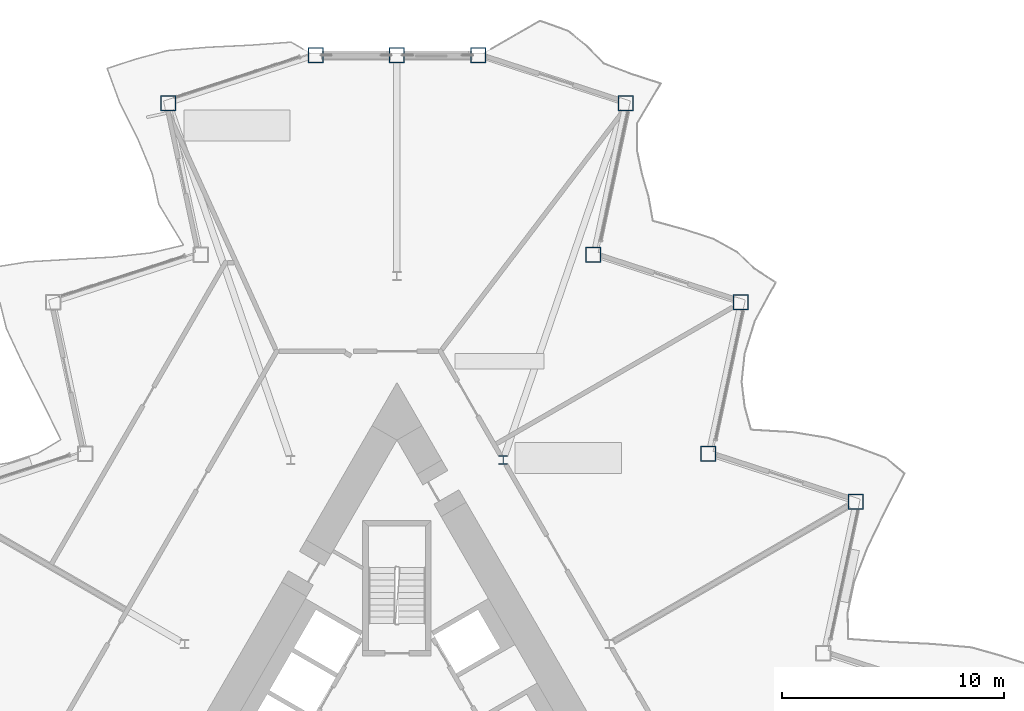
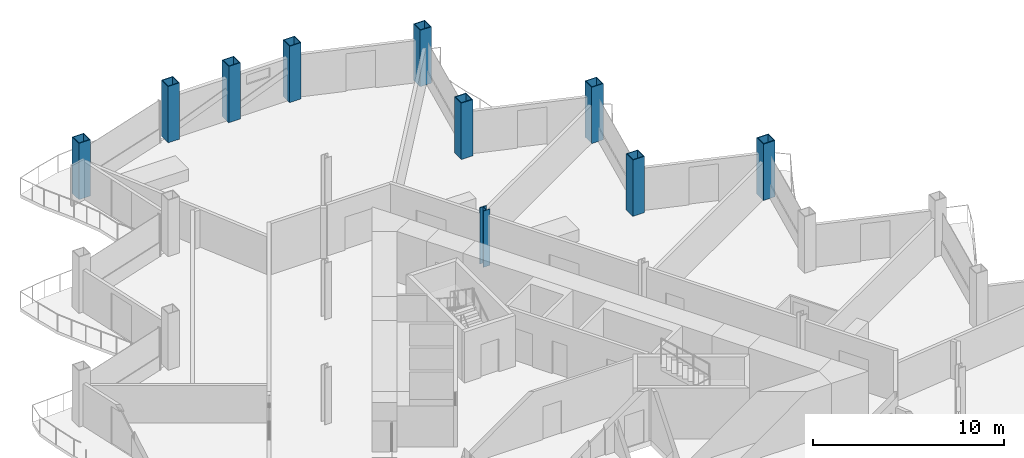
# One storey, part 3 of 23: 10 columns.
"""IFC4 building model written with IfcOpenShell, lengths in metres."""

import ifcopenshell
import ifcopenshell.guid

model = None  # the IFC model being written
_history = None  # IfcOwnerHistory: only IFC2X3 demands one
_inside = {}  # id of a spatial element -> (the spatial element, [elements in it])
_under = {}  # id of a project, library or spatial element -> (it, [spatial elements below it])
_declared = {}  # id of a project -> (the project, [libraries it declares])
_typed = {}  # id of a type object -> (the type object, [elements of that type])
_made_of = {}  # id of a material, layer set ... -> (it, [elements and type objects made of it])


def new_model(schema):
    """Start an empty IFC model of exactly this schema.

    Asked for "IFC4X3", IfcOpenShell would pick the latest addendum, in which some entities
    have other attributes; the version numbers below select the first issue.
    IFC2X3 requires an IfcOwnerHistory on every rooted entity: one is made here for all.
    """
    global model, _history
    if schema == "IFC4X3":
        model = ifcopenshell.file(schema_version=(4, 3, 0, 0))
    else:
        model = ifcopenshell.file(schema=schema)
    _inside.clear()
    _under.clear()
    _declared.clear()
    _typed.clear()
    _made_of.clear()
    _history = None
    if model.schema == "IFC2X3":
        org = make("IfcOrganization", Name="unknown")
        user = make(
            "IfcPersonAndOrganization",
            ThePerson=make("IfcPerson", FamilyName="unknown"),
            TheOrganization=org,
        )
        app = make(
            "IfcApplication",
            ApplicationDeveloper=org,
            Version="unknown",
            ApplicationFullName="unknown",
            ApplicationIdentifier="unknown",
        )
        _history = make(
            "IfcOwnerHistory",
            OwningUser=user,
            OwningApplication=app,
            ChangeAction="ADDED",
            CreationDate=0,
        )
    return model


def make(cls, **values):
    """One entity of the class cls with the attributes given. An attribute that is None is left unset."""
    return model.create_entity(
        cls, **{name: value for name, value in values.items() if value is not None}
    )


def rooted(cls, **values):
    """An entity with a GlobalId (a new one), such as an element, a storey or a relation."""
    return make(cls, GlobalId=ifcopenshell.guid.new(), OwnerHistory=_history, **values)


def si_unit(unit_type, name, prefix=None):
    """IfcSIUnit, for example si_unit("LENGTHUNIT", "METRE", prefix="MILLI")."""
    return make("IfcSIUnit", UnitType=unit_type, Prefix=prefix, Name=name)


def assignment(units):
    """IfcUnitAssignment: the units of a project."""
    return None if units is None else make("IfcUnitAssignment", Units=units)


def point(xyz):
    """IfcCartesianPoint."""
    return None if xyz is None else make("IfcCartesianPoint", Coordinates=xyz)


def direction(xyz):
    """IfcDirection."""
    return None if xyz is None else make("IfcDirection", DirectionRatios=xyz)


def frame(location, z_axis=None, x_axis=None):
    """IfcAxis2Placement3D, a coordinate frame: its origin and axes. An axis left out is left unset."""
    return make(
        "IfcAxis2Placement3D",
        Location=point(location),
        Axis=direction(z_axis),
        RefDirection=direction(x_axis),
    )


def frame_2d(location, x_axis=None):
    """IfcAxis2Placement2D, a coordinate frame in the plane: its origin and x axis."""
    return make(
        "IfcAxis2Placement2D", Location=point(location), RefDirection=direction(x_axis)
    )


def origin():
    """The frame at (0, 0, 0) with its axes left unset."""
    return frame((0.0, 0.0, 0.0))


def origin_2d():
    """The frame at (0, 0) in the plane with its x axis left unset."""
    return frame_2d((0.0, 0.0))


def place(relative_to, where):
    """IfcLocalPlacement: puts the frame where relative to a parent placement (None: the world)."""
    return make(
        "IfcLocalPlacement", PlacementRelTo=relative_to, RelativePlacement=where
    )


def context(
    kind, dimensions, precision=None, world=None, true_north=None, identifier=None
):
    """IfcGeometricRepresentationContext, for example the 3D "Model" context."""
    return make(
        "IfcGeometricRepresentationContext",
        ContextIdentifier=identifier,
        ContextType=kind,
        CoordinateSpaceDimension=dimensions,
        Precision=precision,
        WorldCoordinateSystem=world,
        TrueNorth=true_north,
    )


def subcontext(parent, identifier, kind, view, scale=None):
    """IfcGeometricRepresentationSubContext, for example "Body" below "Model"."""
    return make(
        "IfcGeometricRepresentationSubContext",
        ContextIdentifier=identifier,
        ContextType=kind,
        ParentContext=parent,
        TargetScale=scale,
        TargetView=view,
    )


def project(units=None, contexts=None):
    """IfcProject with its units and contexts."""
    return rooted(
        "IfcProject",
        Name="project",
        RepresentationContexts=contexts,
        UnitsInContext=assignment(units),
    )


def spatial(cls, under=None, at=None, **own):
    """A site, building, storey or space (cls), placed at a placement, below another one or the project."""
    s = rooted(cls, ObjectPlacement=at, **own)
    if under is not None:
        _under.setdefault(under.id(), (under, []))[1].append(s)
    return s


def profile(cls, at=None, kind="AREA", **sizes):
    """A parametric profile (cls). Its sizes go by their IFC names, for example OverallWidth=200.0."""
    return make(cls, ProfileType=kind, Position=at, **sizes)


def hollow_rectangle(**sizes):
    """IfcRectangleHollowProfileDef."""
    return profile("IfcRectangleHollowProfileDef", **sizes)


def i_section(**sizes):
    """IfcIShapeProfileDef."""
    return profile("IfcIShapeProfileDef", **sizes)


def extrude(swept, where, along, depth):
    """IfcExtrudedAreaSolid: the profile swept, set in the frame where, extruded along a direction by depth."""
    return make(
        "IfcExtrudedAreaSolid",
        SweptArea=swept,
        Position=where,
        ExtrudedDirection=direction(along),
        Depth=depth,
    )


def shape(context_of_items, identifier, shape_type, items):
    """IfcShapeRepresentation: the items that make up one representation, for example the "Body"."""
    return make(
        "IfcShapeRepresentation",
        ContextOfItems=context_of_items,
        RepresentationIdentifier=identifier,
        RepresentationType=shape_type,
        Items=items,
    )


def material(Name=None, Category=None):
    """IfcMaterial."""
    return make("IfcMaterial", Name=Name, Category=Category)


def material_profile(
    of_material, cross_section, Name=None, Category=None, Priority=None
):
    """IfcMaterialProfile: a cross section and its material."""
    return make(
        "IfcMaterialProfile",
        Name=Name,
        Material=of_material,
        Profile=cross_section,
        Priority=Priority,
        Category=Category,
    )


def profile_set(profiles, Name=None, composite=None):
    """IfcMaterialProfileSet."""
    return make(
        "IfcMaterialProfileSet",
        Name=Name,
        MaterialProfiles=profiles,
        CompositeProfile=composite,
    )


def made_of(thing, what):
    """Note that an element or type object is made of a material, layer set ...; save() writes the relation."""
    if what is not None:
        _made_of.setdefault(what.id(), (what, []))[1].append(thing)
    return thing


def type_object(cls, material=None, **own):
    """A type object (cls), such as IfcWallType, which elements share."""
    return made_of(rooted(cls, **own), material)


def element(
    cls,
    number,
    at=None,
    inside=None,
    cuts=None,
    type_object=None,
    material=None,
    context=None,
    identifier="Body",
    shape_type=None,
    held_by="IfcProductDefinitionShape",
    body=None,
    shapes=None,
    **own,
):
    """One element of the class cls, such as IfcWall. Its Tag is "e" and its number.

    at: its placement. inside: the storey or other place that contains it. cuts: it is an
    opening in that element (IfcRelVoidsElement). A single representation is given by context,
    identifier, shape_type and body (its items); several are given by shapes. held_by: the class
    of the entity that holds the representations. save() writes the other relations.
    """
    e = rooted(cls, Tag="e%d" % number, ObjectPlacement=at, **own)
    if body is not None:
        shapes = [shape(context, identifier, shape_type, body)]
    if shapes is not None:
        e.Representation = make(held_by, Representations=shapes)
    if inside is not None:
        _inside.setdefault(inside.id(), (inside, []))[1].append(e)
    if cuts is not None:
        rooted(
            "IfcRelVoidsElement", RelatingBuildingElement=cuts, RelatedOpeningElement=e
        )
    if type_object is not None:
        _typed.setdefault(type_object.id(), (type_object, []))[1].append(e)
    return made_of(e, material)


def aggregate(whole, parts):
    """IfcRelAggregates: a whole, such as a stair, and the parts it consists of."""
    return rooted("IfcRelAggregates", RelatingObject=whole, RelatedObjects=parts)


def save(model, path):
    """Write the relations noted so far, then the file.

    IfcRelAggregates (storeys below a building ...), IfcRelContainedInSpatialStructure (elements
    in a storey), IfcRelDefinesByType, IfcRelAssociatesMaterial and IfcRelDeclares: one each for
    every whole, place, type object, material and project.
    """
    for whole, parts in _under.values():
        aggregate(whole, parts)
    for where, things in _inside.values():
        rooted(
            "IfcRelContainedInSpatialStructure",
            RelatedElements=things,
            RelatingStructure=where,
        )
    for kind, things in _typed.values():
        rooted("IfcRelDefinesByType", RelatedObjects=things, RelatingType=kind)
    for what, things in _made_of.values():
        rooted("IfcRelAssociatesMaterial", RelatedObjects=things, RelatingMaterial=what)
    for by, libraries in _declared.values():
        rooted("IfcRelDeclares", RelatingContext=by, RelatedDefinitions=libraries)
    model.write(path)


model = new_model("IFC4")

# Units and contexts
model_context = context("Model", 3, precision=1e-05, world=origin(), true_north=direction((0.0, 1.0)))
body_context = subcontext(model_context, "Body", "Model", "MODEL_VIEW")
ifc_project = project(units=[si_unit("LENGTHUNIT", "METRE"), si_unit("AREAUNIT", "SQUARE_METRE"), si_unit("VOLUMEUNIT", "CUBIC_METRE"), si_unit("PLANEANGLEUNIT", "RADIAN"), si_unit("MASSUNIT", "GRAM", prefix="KILO")], contexts=[model_context])

# Site, building, storey
site_placement = place(None, origin())
site = spatial("IfcSite", under=ifc_project, at=site_placement, CompositionType="ELEMENT")
building_placement = place(site_placement, origin())
building = spatial("IfcBuilding", under=site, at=building_placement, Name="Cormorant Prow Tower", CompositionType="ELEMENT")
storey_placement = place(building_placement, frame((0.0, 0.0, 263.39990234375)))
storey = spatial("IfcBuildingStorey", under=building, at=storey_placement, Name="L59", CompositionType="ELEMENT", Elevation=263.39990234375)

# Columns
ifc_material_1 = material(Name="Structural steel ASTM A572 Gr 50", Category="steel")
ifc_material_profile_1 = material_profile(ifc_material_1, hollow_rectangle(XDim=0.699951171875, YDim=0.699951171875, WallThickness=0.044921875, at=origin_2d()), Name="Box 700x700x45")
ifc_profile_set_1 = profile_set([ifc_material_profile_1], Name="Structural steel ASTM A572 Gr 50")
column_type_1 = type_object("IfcColumnType", Name="Perimeter box column 700x700x45", PredefinedType="COLUMN", material=ifc_profile_set_1)
for number, where, z_axis, x_axis, name in (
    (1, (20.686767578125, 11.943359375, 0.0), (0.0, 0.0, 1.0), (1.0, 0.0, 0.0), "Perimeter column C5 at ENE05 L59"),
    (2, (14.046875, 14.100830078125, 0.0), (0.0, 0.0, 1.0), (1.0, 0.0, 0.0), "Perimeter column C5 at ENE06 L59"),
    (3, (15.49853515625, 20.9296875, 0.0), (0.0, 0.0, 1.0), (1.0, 0.0, 0.0), "Perimeter column C5 at ENE07 L59"),
    (4, (8.858642578125, 23.087158203125, 0.0), (0.0, 0.0, 1.0), (1.0, 0.0, 0.0), "Perimeter column C5 at ENE08 L59"),
    (5, (10.310302734375, 29.916015625, 0.0), (0.0, 0.0, 1.0), (1.0, 0.0, 0.0), "Perimeter column C5 at ENE09 L59"),
    (6, (3.67041015625, 32.073486328125, 0.0), (0.0, 0.0, 1.0), (1.0, 0.0, 0.0), "Perimeter column C5 at N00 L59"),
    (7, (0.0, 32.073486328125, 0.0), (0.0, 0.0, 1.0), (1.0, 0.0, 0.0), "Perimeter column C5 at N01 L59"),
    (8, (-3.67041015625, 32.073486328125, 0.0), (0.0, 0.0, 1.0), (1.0, 0.0, 0.0), "Perimeter column C5 at WNW00 L59"),
    (9, (-10.310302734375, 29.916015625, 0.0), (0.0, 0.0, 1.0), (1.0, 0.0, 0.0), "Perimeter column C5 at WNW01 L59"),
):
    element("IfcColumn", number, at=place(storey_placement, frame(where, z_axis=z_axis, x_axis=x_axis)), inside=storey, type_object=column_type_1, Name=name, PredefinedType="COLUMN", context=body_context, shape_type="SweptSolid", body=[
        extrude(hollow_rectangle(XDim=0.699951171875, YDim=0.699951171875, WallThickness=0.044921875, at=origin_2d()), origin(), (0.0, 0.0, 1.0), 3.60009765625),
    ])
ifc_material_2 = material(Name="Structural steel ASTM A992 Gr 50", Category="steel")
ifc_material_profile_2 = material_profile(ifc_material_2, i_section(OverallWidth=0.39892578125, OverallDepth=0.393310546875, WebThickness=0.022705078125, FlangeThickness=0.03662109375, at=origin_2d()), Name="W14x193")
ifc_profile_set_2 = profile_set([ifc_material_profile_2], Name="Structural steel ASTM A992 Gr 50")
column_type_2 = type_object("IfcColumnType", Name="Ring column W14x193", PredefinedType="COLUMN", material=ifc_profile_set_2)
column_placement = place(storey_placement, frame((4.789306640625, 13.8251953125, 0.0), z_axis=(0.0, 0.0, 1.0), x_axis=(1.0, 0.0, 0.0)))
element("IfcColumn", 10, at=column_placement, inside=storey, type_object=column_type_2, Name="Ring column 12 L59", PredefinedType="COLUMN", context=body_context, shape_type="SweptSolid", body=[
    extrude(i_section(OverallWidth=0.39892578125, OverallDepth=0.393310546875, WebThickness=0.022705078125, FlangeThickness=0.03662109375, at=origin_2d()), origin(), (0.0, 0.0, 1.0), 3.60009765625),
])

save(model, "model.ifc")
